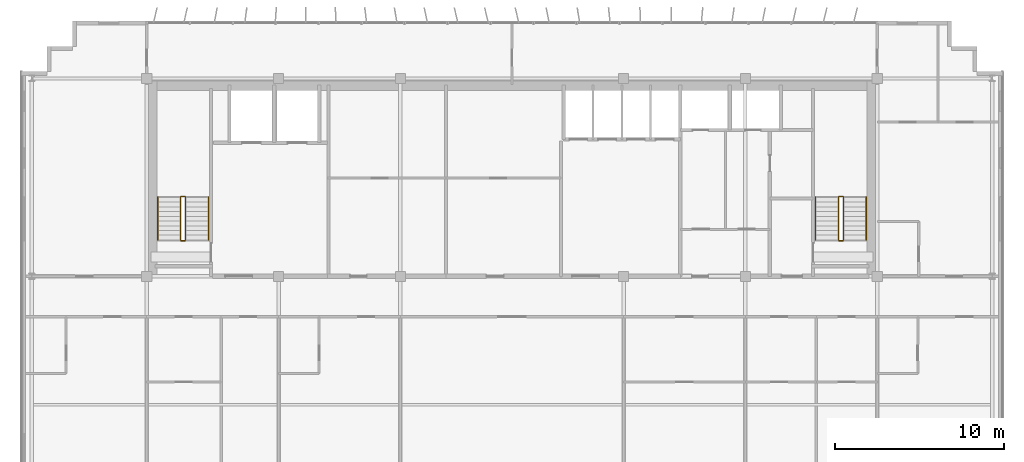
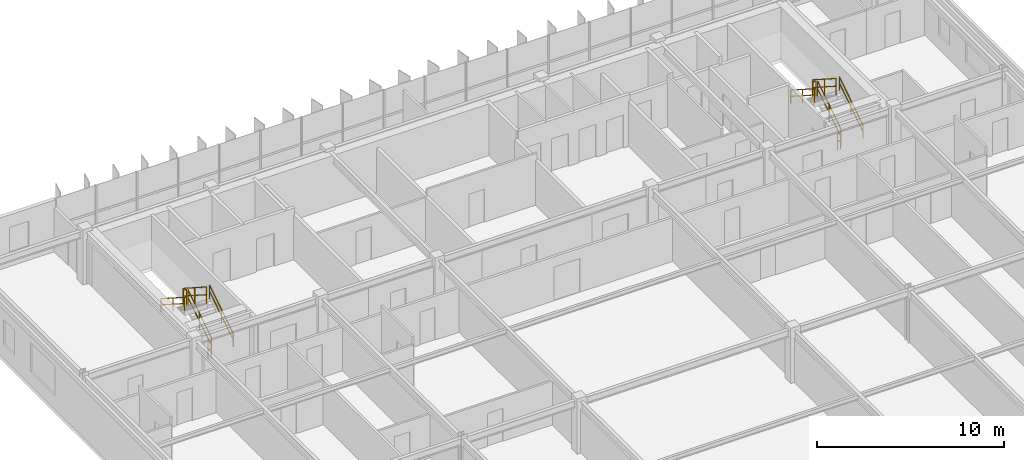
# One storey, part 22 of 22: 12 railings.
"""IFC4 building model written with IfcOpenShell, lengths in metres."""

from ifc_helpers import new_model, si_unit, direction, frame, origin, origin_2d, place, context, subcontext, project, spatial, rectangle, extrude, material, type_object, element, save


model = new_model("IFC4")

# Units and contexts
model_context = context("Model", 3, precision=1e-05, world=origin(), true_north=direction((0.0, 1.0)))
body_context = subcontext(model_context, "Body", "Model", "MODEL_VIEW")
ifc_project = project(units=[si_unit("LENGTHUNIT", "METRE"), si_unit("AREAUNIT", "SQUARE_METRE"), si_unit("VOLUMEUNIT", "CUBIC_METRE"), si_unit("PLANEANGLEUNIT", "RADIAN"), si_unit("MASSUNIT", "GRAM", prefix="KILO")], contexts=[model_context])

# Site, building, storey
site_placement = place(None, origin())
site = spatial("IfcSite", under=ifc_project, at=site_placement, CompositionType="ELEMENT")
building_placement = place(site_placement, origin())
building = spatial("IfcBuilding", under=site, at=building_placement, Name="Trelvane Seafront Commons", CompositionType="ELEMENT")
storey_placement = place(building_placement, frame((0.0, 0.0, 270.300048828125)))
storey = spatial("IfcBuildingStorey", under=building, at=storey_placement, Name="L70", CompositionType="ELEMENT", Elevation=270.300048828125)

# Railings
ifc_material = material(Name="Stainless steel balustrade", Category="steel")
railing_type_1 = type_object("IfcRailingType", Name="ARCH-SRL-GUARD", PredefinedType="GUARDRAIL", material=ifc_material)
railing_1_placement = place(storey_placement, frame((17.89990234375, 35.550048828125, 0.179931640625)))
element("IfcRailing", 1, at=railing_1_placement, inside=storey, type_object=railing_type_1, Name="L70 ST-1 stair guard 1", PredefinedType="GUARDRAIL", context=body_context, shape_type="SweptSolid", body=[
    extrude(rectangle(XDim=0.048095703125, YDim=0.048095703125, at=origin_2d()), frame((0.0, 0.0, 1.076171875), z_axis=(0.0, 0.841162588446, 0.540782303519), x_axis=(-1.0, 0.0, 0.0)), (0.0, 0.0, 1.0), 2.995849609375),
    extrude(rectangle(XDim=0.048095703125, YDim=0.048095703125, at=origin_2d()), frame((0.0, 0.0, 0.572021484375), z_axis=(0.0, 0.841162588446, 0.540782303519), x_axis=(-1.0, 0.0, 0.0)), (0.0, 0.0, 1.0), 2.995849609375),
    extrude(rectangle(XDim=0.0419921875, YDim=0.0419921875, at=origin_2d()), origin(), (0.0, 0.0, 1.0), 1.076171875),
    extrude(rectangle(XDim=0.0419921875, YDim=0.0419921875, at=origin_2d()), frame((0.0, 1.260009765625, 0.81005859375)), (0.0, 0.0, 1.0), 1.076171875),
    extrude(rectangle(XDim=0.0419921875, YDim=0.0419921875, at=origin_2d()), frame((0.0, 2.52001953125, 1.6201171875)), (0.0, 0.0, 1.0), 1.076171875),
])
railing_2_placement = place(storey_placement, frame((17.85009765625, 38.1201171875, 1.800048828125)))
element("IfcRailing", 2, at=railing_2_placement, inside=storey, type_object=railing_type_1, Name="L70 ST-1 stair guard 2", PredefinedType="GUARDRAIL", context=body_context, shape_type="SweptSolid", body=[
    extrude(rectangle(XDim=0.048095703125, YDim=0.048095703125, at=origin_2d()), frame((0.0, 0.0, 1.076171875), z_axis=(-1.0, 0.0, 0.0), x_axis=(0.0, -1.0, 0.0)), (0.0, 0.0, 1.0), 0.2001953125),
    extrude(rectangle(XDim=0.048095703125, YDim=0.048095703125, at=origin_2d()), frame((0.0, 0.0, 0.572021484375), z_axis=(-1.0, 0.0, 0.0), x_axis=(0.0, -1.0, 0.0)), (0.0, 0.0, 1.0), 0.2001953125),
    extrude(rectangle(XDim=0.0419921875, YDim=0.0419921875, at=origin_2d()), origin(), (0.0, 0.0, 1.0), 1.076171875),
    extrude(rectangle(XDim=0.0419921875, YDim=0.0419921875, at=origin_2d()), frame((-0.2001953125, 0.0, 0.0)), (0.0, 0.0, 1.0), 1.076171875),
])
railing_3_placement = place(storey_placement, frame((17.60009765625, 38.070068359375, 1.97998046875)))
element("IfcRailing", 3, at=railing_3_placement, inside=storey, type_object=railing_type_1, Name="L70 ST-1 stair guard 3", PredefinedType="GUARDRAIL", context=body_context, shape_type="SweptSolid", body=[
    extrude(rectangle(XDim=0.048095703125, YDim=0.048095703125, at=origin_2d()), frame((0.0, 0.0, 1.076171875), z_axis=(0.0, -0.841199657755, 0.540724639528), x_axis=(1.0, 0.0, 0.0)), (0.0, 0.0, 1.0), 2.995849609375),
    extrude(rectangle(XDim=0.048095703125, YDim=0.048095703125, at=origin_2d()), frame((0.0, 0.0, 0.572021484375), z_axis=(0.0, -0.841199657755, 0.540724639528), x_axis=(1.0, 0.0, 0.0)), (0.0, 0.0, 1.0), 2.995849609375),
    extrude(rectangle(XDim=0.0419921875, YDim=0.0419921875, at=origin_2d()), origin(), (0.0, 0.0, 1.0), 1.076171875),
    extrude(rectangle(XDim=0.0419921875, YDim=0.0419921875, at=origin_2d()), frame((0.0, -1.260009765625, 0.81005859375)), (0.0, 0.0, 1.0), 1.076171875),
    extrude(rectangle(XDim=0.0419921875, YDim=0.0419921875, at=origin_2d()), frame((0.0, -2.52001953125, 1.619873046875)), (0.0, 0.0, 1.0), 1.076171875),
])
railing_4_placement = place(storey_placement, frame((17.85009765625, 35.5, 0.0)))
element("IfcRailing", 4, at=railing_4_placement, inside=storey, type_object=railing_type_1, Name="L70 ST-1 stair guard 4", PredefinedType="GUARDRAIL", context=body_context, shape_type="SweptSolid", body=[
    extrude(rectangle(XDim=0.048095703125, YDim=0.048095703125, at=origin_2d()), frame((0.0, 0.0, 1.076171875), z_axis=(-1.0, 0.0, 0.0), x_axis=(0.0, -1.0, 0.0)), (0.0, 0.0, 1.0), 0.2001953125),
    extrude(rectangle(XDim=0.048095703125, YDim=0.048095703125, at=origin_2d()), frame((0.0, 0.0, 0.572021484375), z_axis=(-1.0, 0.0, 0.0), x_axis=(0.0, -1.0, 0.0)), (0.0, 0.0, 1.0), 0.2001953125),
    extrude(rectangle(XDim=0.0419921875, YDim=0.0419921875, at=origin_2d()), origin(), (0.0, 0.0, 1.0), 1.076171875),
    extrude(rectangle(XDim=0.0419921875, YDim=0.0419921875, at=origin_2d()), frame((-0.2001953125, 0.0, 0.0)), (0.0, 0.0, 1.0), 1.076171875),
])
railing_5_placement = place(storey_placement, frame((56.800048828125, 35.550048828125, 0.179931640625)))
element("IfcRailing", 5, at=railing_5_placement, inside=storey, type_object=railing_type_1, Name="L70 ST-2 stair guard 1", PredefinedType="GUARDRAIL", context=body_context, shape_type="SweptSolid", body=[
    extrude(rectangle(XDim=0.048095703125, YDim=0.048095703125, at=origin_2d()), frame((0.0, 0.0, 1.076171875), z_axis=(0.0, 0.841162588446, 0.540782303519), x_axis=(-1.0, 0.0, 0.0)), (0.0, 0.0, 1.0), 2.995849609375),
    extrude(rectangle(XDim=0.048095703125, YDim=0.048095703125, at=origin_2d()), frame((0.0, 0.0, 0.572021484375), z_axis=(0.0, 0.841162588446, 0.540782303519), x_axis=(-1.0, 0.0, 0.0)), (0.0, 0.0, 1.0), 2.995849609375),
    extrude(rectangle(XDim=0.0419921875, YDim=0.0419921875, at=origin_2d()), origin(), (0.0, 0.0, 1.0), 1.076171875),
    extrude(rectangle(XDim=0.0419921875, YDim=0.0419921875, at=origin_2d()), frame((0.0, 1.260009765625, 0.81005859375)), (0.0, 0.0, 1.0), 1.076171875),
    extrude(rectangle(XDim=0.0419921875, YDim=0.0419921875, at=origin_2d()), frame((0.0, 2.52001953125, 1.6201171875)), (0.0, 0.0, 1.0), 1.076171875),
])
railing_6_placement = place(storey_placement, frame((56.75, 38.1201171875, 1.800048828125)))
element("IfcRailing", 6, at=railing_6_placement, inside=storey, type_object=railing_type_1, Name="L70 ST-2 stair guard 2", PredefinedType="GUARDRAIL", context=body_context, shape_type="SweptSolid", body=[
    extrude(rectangle(XDim=0.048095703125, YDim=0.048095703125, at=origin_2d()), frame((0.0, 0.0, 1.076171875), z_axis=(-1.0, 0.0, 0.0), x_axis=(0.0, -1.0, 0.0)), (0.0, 0.0, 1.0), 0.199951171875),
    extrude(rectangle(XDim=0.048095703125, YDim=0.048095703125, at=origin_2d()), frame((0.0, 0.0, 0.572021484375), z_axis=(-1.0, 0.0, 0.0), x_axis=(0.0, -1.0, 0.0)), (0.0, 0.0, 1.0), 0.199951171875),
    extrude(rectangle(XDim=0.0419921875, YDim=0.0419921875, at=origin_2d()), origin(), (0.0, 0.0, 1.0), 1.076171875),
    extrude(rectangle(XDim=0.0419921875, YDim=0.0419921875, at=origin_2d()), frame((-0.199951171875, 0.0, 0.0)), (0.0, 0.0, 1.0), 1.076171875),
])
railing_7_placement = place(storey_placement, frame((56.5, 38.070068359375, 1.97998046875)))
element("IfcRailing", 7, at=railing_7_placement, inside=storey, type_object=railing_type_1, Name="L70 ST-2 stair guard 3", PredefinedType="GUARDRAIL", context=body_context, shape_type="SweptSolid", body=[
    extrude(rectangle(XDim=0.048095703125, YDim=0.048095703125, at=origin_2d()), frame((0.0, 0.0, 1.076171875), z_axis=(0.0, -0.841199657755, 0.540724639528), x_axis=(1.0, 0.0, 0.0)), (0.0, 0.0, 1.0), 2.995849609375),
    extrude(rectangle(XDim=0.048095703125, YDim=0.048095703125, at=origin_2d()), frame((0.0, 0.0, 0.572021484375), z_axis=(0.0, -0.841199657755, 0.540724639528), x_axis=(1.0, 0.0, 0.0)), (0.0, 0.0, 1.0), 2.995849609375),
    extrude(rectangle(XDim=0.0419921875, YDim=0.0419921875, at=origin_2d()), origin(), (0.0, 0.0, 1.0), 1.076171875),
    extrude(rectangle(XDim=0.0419921875, YDim=0.0419921875, at=origin_2d()), frame((0.0, -1.260009765625, 0.81005859375)), (0.0, 0.0, 1.0), 1.076171875),
    extrude(rectangle(XDim=0.0419921875, YDim=0.0419921875, at=origin_2d()), frame((0.0, -2.52001953125, 1.619873046875)), (0.0, 0.0, 1.0), 1.076171875),
])
railing_8_placement = place(storey_placement, frame((56.75, 35.5, 0.0)))
element("IfcRailing", 8, at=railing_8_placement, inside=storey, type_object=railing_type_1, Name="L70 ST-2 stair guard 4", PredefinedType="GUARDRAIL", context=body_context, shape_type="SweptSolid", body=[
    extrude(rectangle(XDim=0.048095703125, YDim=0.048095703125, at=origin_2d()), frame((0.0, 0.0, 1.076171875), z_axis=(-1.0, 0.0, 0.0), x_axis=(0.0, -1.0, 0.0)), (0.0, 0.0, 1.0), 0.199951171875),
    extrude(rectangle(XDim=0.048095703125, YDim=0.048095703125, at=origin_2d()), frame((0.0, 0.0, 0.572021484375), z_axis=(-1.0, 0.0, 0.0), x_axis=(0.0, -1.0, 0.0)), (0.0, 0.0, 1.0), 0.199951171875),
    extrude(rectangle(XDim=0.0419921875, YDim=0.0419921875, at=origin_2d()), origin(), (0.0, 0.0, 1.0), 1.076171875),
    extrude(rectangle(XDim=0.0419921875, YDim=0.0419921875, at=origin_2d()), frame((-0.199951171875, 0.0, 0.0)), (0.0, 0.0, 1.0), 1.076171875),
])
railing_type_2 = type_object("IfcRailingType", Name="ARCH-SRL-HAND", PredefinedType="HANDRAIL", material=ifc_material)
railing_9_placement = place(storey_placement, frame((19.25, 35.550048828125, 0.179931640625)))
element("IfcRailing", 9, at=railing_9_placement, inside=storey, type_object=railing_type_2, Name="L70 ST-1 stair handrail 1", PredefinedType="HANDRAIL", context=body_context, shape_type="SweptSolid", body=[
    extrude(rectangle(XDim=0.048095703125, YDim=0.048095703125, at=origin_2d()), frame((0.0, 0.0, 0.8759765625), z_axis=(0.0, 0.841162588446, 0.540782303519), x_axis=(-1.0, 0.0, 0.0)), (0.0, 0.0, 1.0), 2.995849609375),
    extrude(rectangle(XDim=0.048095703125, YDim=0.048095703125, at=origin_2d()), frame((0.0, 0.0, 0.468017578125), z_axis=(0.0, 0.841162588446, 0.540782303519), x_axis=(-1.0, 0.0, 0.0)), (0.0, 0.0, 1.0), 2.995849609375),
    extrude(rectangle(XDim=0.0419921875, YDim=0.0419921875, at=origin_2d()), origin(), (0.0, 0.0, 1.0), 0.8759765625),
    extrude(rectangle(XDim=0.0419921875, YDim=0.0419921875, at=origin_2d()), frame((0.0, 1.260009765625, 0.81005859375)), (0.0, 0.0, 1.0), 0.8759765625),
    extrude(rectangle(XDim=0.0419921875, YDim=0.0419921875, at=origin_2d()), frame((0.0, 2.52001953125, 1.6201171875)), (0.0, 0.0, 1.0), 0.8759765625),
])
railing_10_placement = place(storey_placement, frame((16.25, 38.070068359375, 1.97998046875)))
element("IfcRailing", 10, at=railing_10_placement, inside=storey, type_object=railing_type_2, Name="L70 ST-1 stair handrail 2", PredefinedType="HANDRAIL", context=body_context, shape_type="SweptSolid", body=[
    extrude(rectangle(XDim=0.048095703125, YDim=0.048095703125, at=origin_2d()), frame((0.0, 0.0, 0.8759765625), z_axis=(0.0, -0.841199657755, 0.540724639528), x_axis=(1.0, 0.0, 0.0)), (0.0, 0.0, 1.0), 2.995849609375),
    extrude(rectangle(XDim=0.048095703125, YDim=0.048095703125, at=origin_2d()), frame((0.0, 0.0, 0.468017578125), z_axis=(0.0, -0.841199657755, 0.540724639528), x_axis=(1.0, 0.0, 0.0)), (0.0, 0.0, 1.0), 2.995849609375),
    extrude(rectangle(XDim=0.0419921875, YDim=0.0419921875, at=origin_2d()), origin(), (0.0, 0.0, 1.0), 0.8759765625),
    extrude(rectangle(XDim=0.0419921875, YDim=0.0419921875, at=origin_2d()), frame((0.0, -1.260009765625, 0.81005859375)), (0.0, 0.0, 1.0), 0.8759765625),
    extrude(rectangle(XDim=0.0419921875, YDim=0.0419921875, at=origin_2d()), frame((0.0, -2.52001953125, 1.619873046875)), (0.0, 0.0, 1.0), 0.8759765625),
])
railing_11_placement = place(storey_placement, frame((58.14990234375, 35.550048828125, 0.179931640625)))
element("IfcRailing", 11, at=railing_11_placement, inside=storey, type_object=railing_type_2, Name="L70 ST-2 stair handrail 1", PredefinedType="HANDRAIL", context=body_context, shape_type="SweptSolid", body=[
    extrude(rectangle(XDim=0.048095703125, YDim=0.048095703125, at=origin_2d()), frame((0.0, 0.0, 0.8759765625), z_axis=(0.0, 0.841162588446, 0.540782303519), x_axis=(-1.0, 0.0, 0.0)), (0.0, 0.0, 1.0), 2.995849609375),
    extrude(rectangle(XDim=0.048095703125, YDim=0.048095703125, at=origin_2d()), frame((0.0, 0.0, 0.468017578125), z_axis=(0.0, 0.841162588446, 0.540782303519), x_axis=(-1.0, 0.0, 0.0)), (0.0, 0.0, 1.0), 2.995849609375),
    extrude(rectangle(XDim=0.0419921875, YDim=0.0419921875, at=origin_2d()), origin(), (0.0, 0.0, 1.0), 0.8759765625),
    extrude(rectangle(XDim=0.0419921875, YDim=0.0419921875, at=origin_2d()), frame((0.0, 1.260009765625, 0.81005859375)), (0.0, 0.0, 1.0), 0.8759765625),
    extrude(rectangle(XDim=0.0419921875, YDim=0.0419921875, at=origin_2d()), frame((0.0, 2.52001953125, 1.6201171875)), (0.0, 0.0, 1.0), 0.8759765625),
])
railing_12_placement = place(storey_placement, frame((55.14990234375, 38.070068359375, 1.97998046875)))
element("IfcRailing", 12, at=railing_12_placement, inside=storey, type_object=railing_type_2, Name="L70 ST-2 stair handrail 2", PredefinedType="HANDRAIL", context=body_context, shape_type="SweptSolid", body=[
    extrude(rectangle(XDim=0.048095703125, YDim=0.048095703125, at=origin_2d()), frame((0.0, 0.0, 0.8759765625), z_axis=(0.0, -0.841199657755, 0.540724639528), x_axis=(1.0, 0.0, 0.0)), (0.0, 0.0, 1.0), 2.995849609375),
    extrude(rectangle(XDim=0.048095703125, YDim=0.048095703125, at=origin_2d()), frame((0.0, 0.0, 0.468017578125), z_axis=(0.0, -0.841199657755, 0.540724639528), x_axis=(1.0, 0.0, 0.0)), (0.0, 0.0, 1.0), 2.995849609375),
    extrude(rectangle(XDim=0.0419921875, YDim=0.0419921875, at=origin_2d()), origin(), (0.0, 0.0, 1.0), 0.8759765625),
    extrude(rectangle(XDim=0.0419921875, YDim=0.0419921875, at=origin_2d()), frame((0.0, -1.260009765625, 0.81005859375)), (0.0, 0.0, 1.0), 0.8759765625),
    extrude(rectangle(XDim=0.0419921875, YDim=0.0419921875, at=origin_2d()), frame((0.0, -2.52001953125, 1.619873046875)), (0.0, 0.0, 1.0), 0.8759765625),
])

save(model, "model.ifc")
